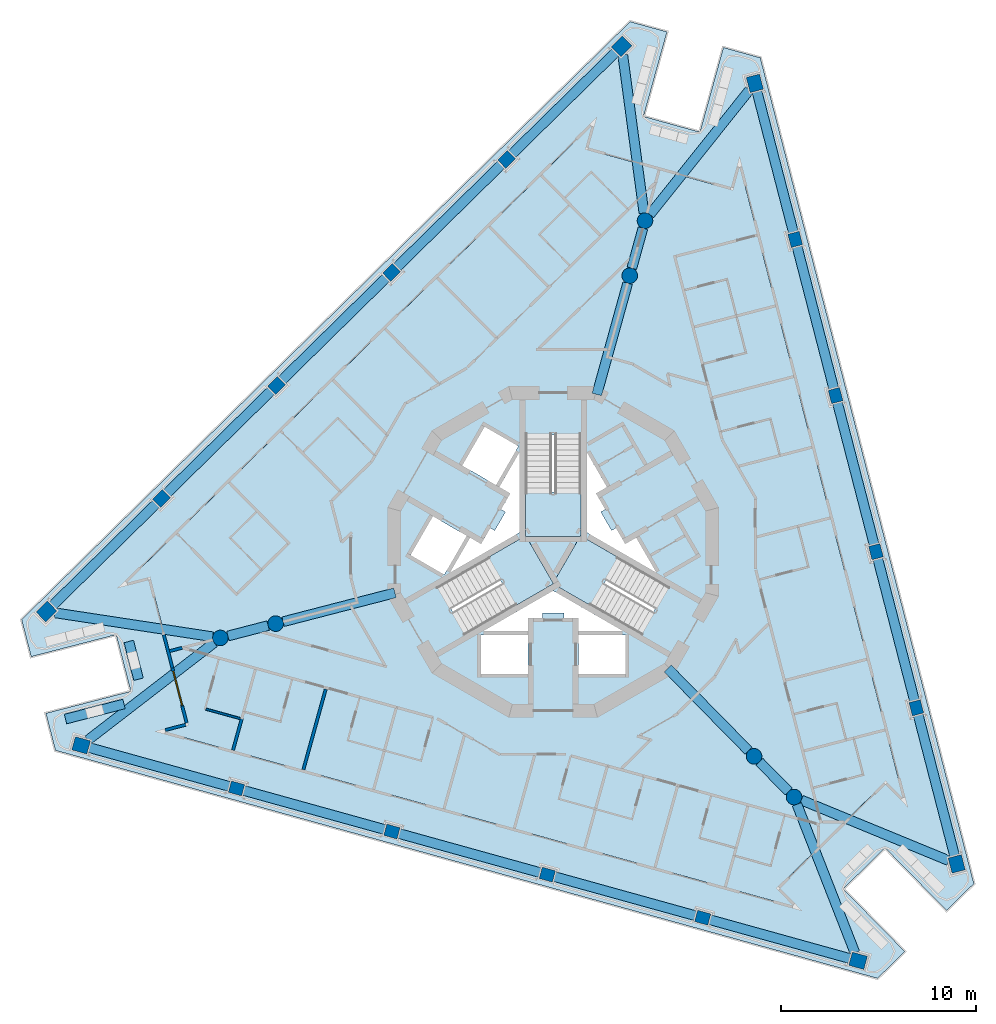
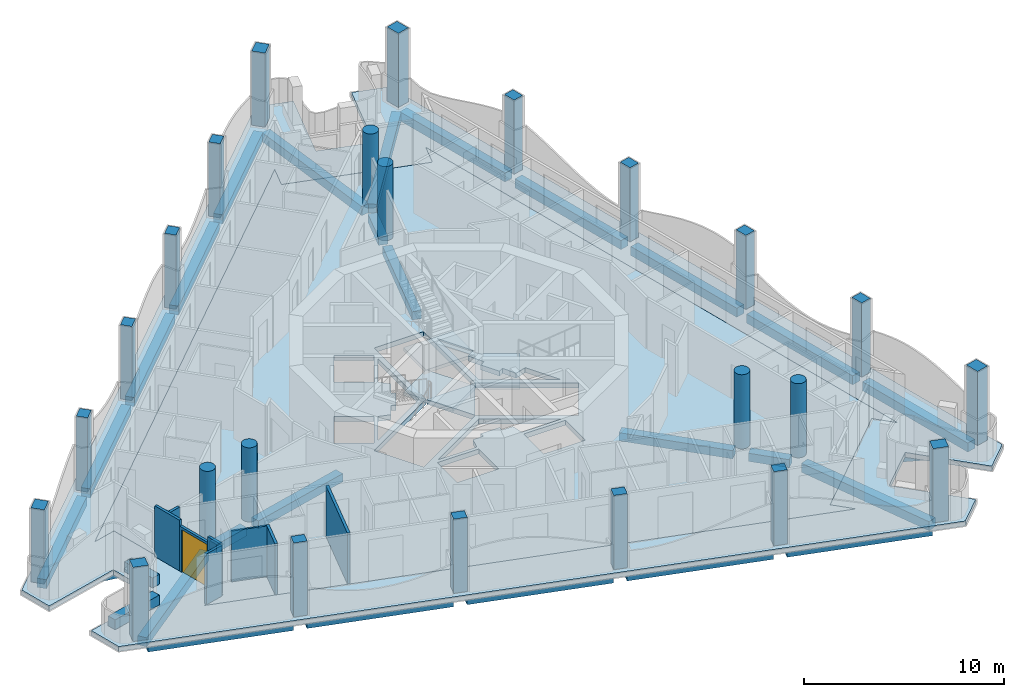
# One storey, part 1 of 15: 27 beams, 24 columns, 10 walls, 6 slabs, 1 door, 1 opening, 3 elements without a shape of their own.
"""IFC4 building model written with IfcOpenShell, lengths in metres."""

from ifc_helpers import new_model, si_unit, direction, frame, frame_2d, origin, origin_2d, place, context, subcontext, project, spatial, polyline, rectangle, circle, outline, extrude, material, layer, layer_set, material_profile, profile_set, type_object, element, fill, aggregate, save


model = new_model("IFC4")

# Units and contexts
model_context = context("Model", 3, precision=1e-05, world=origin(), true_north=direction((0.0, 1.0)))
body_context = subcontext(model_context, "Body", "Model", "MODEL_VIEW")
ifc_project = project(units=[si_unit("LENGTHUNIT", "METRE"), si_unit("AREAUNIT", "SQUARE_METRE"), si_unit("VOLUMEUNIT", "CUBIC_METRE"), si_unit("PLANEANGLEUNIT", "RADIAN"), si_unit("MASSUNIT", "GRAM", prefix="KILO")], contexts=[model_context])

# Site, building, storey
site_placement = place(None, origin())
site = spatial("IfcSite", under=ifc_project, at=site_placement, CompositionType="ELEMENT")
building_placement = place(site_placement, origin())
building = spatial("IfcBuilding", under=site, at=building_placement, Name="Trine Commons Tower", CompositionType="ELEMENT")
storey_placement = place(building_placement, frame((0.0, 0.0, 263.699951171875)))
storey = spatial("IfcBuildingStorey", under=building, at=storey_placement, Name="L69", CompositionType="ELEMENT", Elevation=263.699951171875)

# Columns
ifc_material_1 = material(Name="Concrete C50/60", Category="concrete")
ifc_material_profile_1 = material_profile(ifc_material_1, rectangle(XDim=0.699951171875, YDim=0.60009765625, at=origin_2d()), Name="RC 700x600")
ifc_profile_set_1 = profile_set([ifc_material_profile_1], Name="Concrete C50/60")
column_type_1 = type_object("IfcColumnType", Name="RC column 700x600, C50/60", PredefinedType="COLUMN", material=ifc_profile_set_1)
for number, where, z_axis, x_axis, name in (
    (1, (87.668701171875, 43.74072265625, 0.0), (0.0, 0.0, 1.0), (-0.963630453209, 0.267238376078, 0.0), "Column PC7-02 L69"),
    (2, (79.70068359375, 45.950439453125, 0.0), (0.0, 0.0, 1.0), (-0.963630453209, 0.267238376078, 0.0), "Column PC7-03 L69"),
    (3, (71.73291015625, 48.16015625, 0.0), (0.0, 0.0, 1.0), (-0.963630453209, 0.267238376078, 0.0), "Column PC7-04 L69"),
    (4, (63.764892578125, 50.369873046875, 0.0), (0.0, 0.0, 1.0), (-0.963630453209, 0.267238376078, 0.0), "Column PC7-05 L69"),
    (5, (59.91943359375, 65.23828125, 0.0), (0.0, 0.0, 1.0), (0.713250449154, 0.7009092643, 0.0), "Column PC7-08 L69"),
    (6, (65.817138671875, 71.033935546875, 0.0), (0.0, 0.0, 1.0), (0.713250449154, 0.7009092643, 0.0), "Column PC7-09 L69"),
    (7, (71.71484375, 76.82958984375, 0.0), (0.0, 0.0, 1.0), (0.713250449154, 0.7009092643, 0.0), "Column PC7-10 L69"),
    (8, (77.612548828125, 82.625244140625, 0.0), (0.0, 0.0, 1.0), (0.713250449154, 0.7009092643, 0.0), "Column PC7-11 L69"),
    (9, (92.41162109375, 78.52099609375, 0.0), (0.0, 0.0, 1.0), (-0.250380004054, 0.968147640378, 0.0), "Column PC7-14 L69"),
    (10, (94.48193359375, 70.515625, 0.0), (0.0, 0.0, 1.0), (-0.250380004054, 0.968147640378, 0.0), "Column PC7-15 L69"),
    (11, (96.55224609375, 62.51025390625, 0.0), (0.0, 0.0, 1.0), (-0.250380004054, 0.968147640378, 0.0), "Column PC7-16 L69"),
    (12, (98.622802734375, 54.5048828125, 0.0), (0.0, 0.0, 1.0), (-0.250380004054, 0.968147640378, 0.0), "Column PC7-17 L69"),
):
    element("IfcColumn", number, at=place(storey_placement, frame(where, z_axis=z_axis, x_axis=x_axis)), inside=storey, type_object=column_type_1, Name=name, PredefinedType="COLUMN", context=body_context, shape_type="SweptSolid", body=[
        extrude(rectangle(XDim=0.699951171875, YDim=0.60009765625, at=origin_2d()), origin(), (0.0, 0.0, 1.0), 4.527099609375),
    ])
ifc_material_profile_2 = material_profile(ifc_material_1, rectangle(XDim=0.800048828125, YDim=0.699951171875, at=origin_2d()), Name="RC 800x700")
ifc_profile_set_2 = profile_set([ifc_material_profile_2], Name="Concrete C50/60")
column_type_2 = type_object("IfcColumnType", Name="RC column 800x700, C50/60", PredefinedType="COLUMN", material=ifc_profile_set_2)
for number, where, z_axis, x_axis, name in (
    (13, (95.63671875, 41.531005859375, 0.0), (0.0, 0.0, 1.0), (-0.963630453209, 0.267238376078, 0.0), "Column PC7-01 L69"),
    (14, (55.796875, 52.57958984375, 0.0), (0.0, 0.0, 1.0), (-0.963630453209, 0.267238376078, 0.0), "Column PC7-06 L69"),
    (15, (54.02197265625, 59.442626953125, 0.0), (0.0, 0.0, 1.0), (0.713250449154, 0.7009092643, 0.0), "Column PC7-07 L69"),
    (16, (83.51025390625, 88.4208984375, 0.0), (0.0, 0.0, 1.0), (0.713250449154, 0.7009092643, 0.0), "Column PC7-12 L69"),
    (17, (90.34130859375, 86.5263671875, 0.0), (0.0, 0.0, 1.0), (-0.250380004054, 0.968147640378, 0.0), "Column PC7-13 L69"),
    (18, (100.693115234375, 46.499755859375, 0.0), (0.0, 0.0, 1.0), (-0.250380004054, 0.968147640378, 0.0), "Column PC7-18 L69"),
):
    element("IfcColumn", number, at=place(storey_placement, frame(where, z_axis=z_axis, x_axis=x_axis)), inside=storey, type_object=column_type_2, Name=name, PredefinedType="COLUMN", context=body_context, shape_type="SweptSolid", body=[
        extrude(rectangle(XDim=0.800048828125, YDim=0.699951171875, at=origin_2d()), origin(), (0.0, 0.0, 1.0), 4.527099609375),
    ])
ifc_material_profile_3 = material_profile(ifc_material_1, circle(Radius=0.39990234375, at=origin_2d()), Name="RC round 800")
ifc_profile_set_3 = profile_set([ifc_material_profile_3], Name="Concrete C50/60")
column_type_3 = type_object("IfcColumnType", Name="RC round column 800 mm, C50/60", PredefinedType="COLUMN", material=ifc_profile_set_3)
for number, where, z_axis, x_axis, name in (
    (19, (90.301513671875, 52.01708984375, 0.0), (0.0, 0.0, 1.0), (1.0, 0.0, 0.0), "Column WC7-1 L69"),
    (20, (92.352783203125, 49.9296875, 0.0), (0.0, 0.0, 1.0), (1.0, 0.0, 0.0), "Column WC7-2 L69"),
    (21, (83.927734375, 76.66259765625, 0.0), (0.0, 0.0, 1.0), (1.0, 0.0, 0.0), "Column WC7-3 L69"),
    (22, (84.709716796875, 79.48291015625, 0.0), (0.0, 0.0, 1.0), (1.0, 0.0, 0.0), "Column WC7-4 L69"),
    (23, (65.77099609375, 58.820068359375, 0.0), (0.0, 0.0, 1.0), (1.0, 0.0, 0.0), "Column WC7-5 L69"),
    (24, (62.9375, 58.08740234375, 0.0), (0.0, 0.0, 1.0), (1.0, 0.0, 0.0), "Column WC7-6 L69"),
):
    element("IfcColumn", number, at=place(storey_placement, frame(where, z_axis=z_axis, x_axis=x_axis)), inside=storey, type_object=column_type_3, Name=name, PredefinedType="COLUMN", context=body_context, shape_type="SweptSolid", body=[
        extrude(circle(Radius=0.39990234375, at=origin_2d()), origin(), (0.0, 0.0, 1.0), 4.527099609375),
    ])

# Beams
ifc_material_2 = material(Name="Concrete C40/50", Category="concrete")
ifc_material_profile_4 = material_profile(ifc_material_2, rectangle(XDim=0.5, YDim=0.5, at=origin_2d()), Name="RC 500x500")
ifc_profile_set_4 = profile_set([ifc_material_profile_4], Name="Concrete C40/50")
beam_type_1 = type_object("IfcBeamType", Name="RC beam 500x500, C40/50", PredefinedType="BEAM", material=ifc_profile_set_4)
beam_1_placement = place(storey_placement, frame((85.87353515625, 56.523193359375, -0.550048828125), z_axis=(0.700890997639, -0.713268399292, 0.0), x_axis=(0.713268399292, 0.700890997639, 0.0)))
element("IfcBeam", 25, at=beam_1_placement, inside=storey, type_object=beam_type_1, Name="Beam RB7-01 L69", PredefinedType="BEAM", context=body_context, shape_type="SweptSolid", body=[
    extrude(rectangle(XDim=0.5, YDim=0.5, at=origin_2d()), origin(), (0.0, 0.0, 1.0), 5.91748046875),
])
beam_2_placement = place(storey_placement, frame((90.581787109375, 51.73193359375, -0.550048828125), z_axis=(0.70093857454, -0.713221644877, 0.0), x_axis=(0.713221644877, 0.70093857454, 0.0)))
element("IfcBeam", 26, at=beam_2_placement, inside=storey, type_object=beam_type_1, Name="Beam RB7-02 L69", PredefinedType="BEAM", context=body_context, shape_type="SweptSolid", body=[
    extrude(rectangle(XDim=0.5, YDim=0.5, at=origin_2d()), origin(), (0.0, 0.0, 1.0), 2.126708984375),
])
beam_3_placement = place(storey_placement, frame((82.239501953125, 70.574951171875, -0.550048828125), z_axis=(0.267209770713, 0.963638385721, 0.0), x_axis=(-0.963638385721, 0.267209770713, 0.0)))
element("IfcBeam", 27, at=beam_3_placement, inside=storey, type_object=beam_type_1, Name="Beam RB7-03 L69", PredefinedType="BEAM", context=body_context, shape_type="SweptSolid", body=[
    extrude(rectangle(XDim=0.5, YDim=0.5, at=origin_2d()), origin(), (0.0, 0.0, 1.0), 5.917724609375),
])
beam_4_placement = place(storey_placement, frame((84.034423828125, 77.0478515625, -0.550048828125), z_axis=(0.267270963033, 0.963621415453, 0.0), x_axis=(-0.963621415453, 0.267270963033, 0.0)))
element("IfcBeam", 28, at=beam_4_placement, inside=storey, type_object=beam_type_1, Name="Beam RB7-04 L69", PredefinedType="BEAM", context=body_context, shape_type="SweptSolid", body=[
    extrude(rectangle(XDim=0.5, YDim=0.5, at=origin_2d()), origin(), (0.0, 0.0, 1.0), 2.12744140625),
])
beam_5_placement = place(storey_placement, frame((71.88720703125, 60.40185546875, -0.550048828125), z_axis=(-0.968150015074, -0.250370821607, 0.0), x_axis=(0.250370821607, -0.968150015074, 0.0)))
element("IfcBeam", 29, at=beam_5_placement, inside=storey, type_object=beam_type_1, Name="Beam RB7-05 L69", PredefinedType="BEAM", context=body_context, shape_type="SweptSolid", body=[
    extrude(rectangle(XDim=0.5, YDim=0.5, at=origin_2d()), origin(), (0.0, 0.0, 1.0), 5.91796875),
])
beam_6_placement = place(storey_placement, frame((65.384033203125, 58.72021484375, -0.550048828125), z_axis=(-0.968118610388, -0.250492227863, 0.0), x_axis=(0.250492227863, -0.968118610388, 0.0)))
element("IfcBeam", 30, at=beam_6_placement, inside=storey, type_object=beam_type_1, Name="Beam RB7-06 L69", PredefinedType="BEAM", context=body_context, shape_type="SweptSolid", body=[
    extrude(rectangle(XDim=0.5, YDim=0.5, at=origin_2d()), origin(), (0.0, 0.0, 1.0), 2.127685546875),
])
ifc_material_profile_5 = material_profile(ifc_material_2, rectangle(XDim=0.5, YDim=0.550048828125, at=origin_2d()), Name="RC 500x550")
ifc_profile_set_5 = profile_set([ifc_material_profile_5], Name="Concrete C40/50")
beam_type_2 = type_object("IfcBeamType", Name="RC beam 500x550, C40/50", PredefinedType="BEAM", material=ifc_profile_set_5)
beam_7_placement = place(storey_placement, frame((95.251220703125, 41.6376953125, -0.574951171875), z_axis=(-0.963621113681, 0.267272051042, 0.0), x_axis=(-0.267272051042, -0.963621113681, 0.0)))
element("IfcBeam", 31, at=beam_7_placement, inside=storey, type_object=beam_type_2, Name="Beam EB7-01 L69", PredefinedType="BEAM", context=body_context, shape_type="SweptSolid", body=[
    extrude(rectangle(XDim=0.5, YDim=0.550048828125, at=origin_2d()), origin(), (0.0, 0.0, 1.0), 7.5185546875),
])
for number, where, z_axis, x_axis, name in (
    (32, (87.33154296875, 43.834228515625, -0.574951171875), (-0.963628737279, 0.267244563445, 0.0), (-0.267244563445, -0.963628737279, 0.0), "Beam EB7-02 L69"),
    (33, (79.363525390625, 46.0439453125, -0.574951171875), (-0.963628737279, 0.267244563445, 0.0), (-0.267244563445, -0.963628737279, 0.0), "Beam EB7-03 L69"),
    (34, (71.3955078125, 48.253662109375, -0.574951171875), (-0.963628737279, 0.267244563445, 0.0), (-0.267244563445, -0.963628737279, 0.0), "Beam EB7-04 L69"),
):
    element("IfcBeam", number, at=place(storey_placement, frame(where, z_axis=z_axis, x_axis=x_axis)), inside=storey, type_object=beam_type_2, Name=name, PredefinedType="BEAM", context=body_context, shape_type="SweptSolid", body=[
        extrude(rectangle(XDim=0.5, YDim=0.550048828125, at=origin_2d()), origin(), (0.0, 0.0, 1.0), 7.56884765625),
    ])
for number, where, z_axis, x_axis, name in (
    (35, (63.427490234375, 50.46337890625, -0.574951171875), (-0.963629476257, 0.267241898827, 0.0), (-0.267241898827, -0.963629476257, 0.0), "Beam EB7-05 L69"),
    (36, (54.30712890625, 59.72314453125, -0.574951171875), (0.713265514722, 0.700893933137, 0.0), (-0.700893933137, 0.713265514722, 0.0), "Beam EB7-06 L69"),
):
    element("IfcBeam", number, at=place(storey_placement, frame(where, z_axis=z_axis, x_axis=x_axis)), inside=storey, type_object=beam_type_2, Name=name, PredefinedType="BEAM", context=body_context, shape_type="SweptSolid", body=[
        extrude(rectangle(XDim=0.5, YDim=0.550048828125, at=origin_2d()), origin(), (0.0, 0.0, 1.0), 7.5185546875),
    ])
for number, where, z_axis, x_axis, name in (
    (37, (60.169189453125, 65.483642578125, -0.574951171875), (0.713256929801, 0.700902669485, 0.0), (-0.700902669485, 0.713256929801, 0.0), "Beam EB7-07 L69"),
    (38, (66.06689453125, 71.279296875, -0.574951171875), (0.713256929801, 0.700902669485, 0.0), (-0.700902669485, 0.713256929801, 0.0), "Beam EB7-08 L69"),
    (39, (71.964599609375, 77.074951171875, -0.574951171875), (0.713241082752, 0.700918795492, 0.0), (-0.700918795492, 0.713241082752, 0.0), "Beam EB7-09 L69"),
):
    element("IfcBeam", number, at=place(storey_placement, frame(where, z_axis=z_axis, x_axis=x_axis)), inside=storey, type_object=beam_type_2, Name=name, PredefinedType="BEAM", context=body_context, shape_type="SweptSolid", body=[
        extrude(rectangle(XDim=0.5, YDim=0.550048828125, at=origin_2d()), origin(), (0.0, 0.0, 1.0), 7.568603515625),
    ])
beam_8_placement = place(storey_placement, frame((77.862060546875, 82.87060546875, -0.574951171875), z_axis=(0.713265514722, 0.700893933137, 0.0), x_axis=(-0.700893933137, 0.713265514722, 0.0)))
element("IfcBeam", 40, at=beam_8_placement, inside=storey, type_object=beam_type_2, Name="Beam EB7-10 L69", PredefinedType="BEAM", context=body_context, shape_type="SweptSolid", body=[
    extrude(rectangle(XDim=0.5, YDim=0.550048828125, at=origin_2d()), origin(), (0.0, 0.0, 1.0), 7.5185546875),
])
beam_9_placement = place(storey_placement, frame((90.441650390625, 86.13916015625, -0.574951171875), z_axis=(0.250381772483, -0.96814718303, 0.0), x_axis=(0.96814718303, 0.250381772483, 0.0)))
element("IfcBeam", 41, at=beam_9_placement, inside=storey, type_object=beam_type_2, Name="Beam EB7-11 L69", PredefinedType="BEAM", context=body_context, shape_type="SweptSolid", body=[
    extrude(rectangle(XDim=0.5, YDim=0.550048828125, at=origin_2d()), origin(), (0.0, 0.0, 1.0), 7.518798828125),
])
for number, where, z_axis, x_axis, name in (
    (42, (92.499267578125, 78.18212890625, -0.574951171875), (0.250375524013, -0.968148798985, 0.0), (0.968148798985, 0.250375524013, 0.0), "Beam EB7-12 L69"),
    (43, (94.569580078125, 70.1767578125, -0.574951171875), (0.250375524013, -0.968148798985, 0.0), (0.968148798985, 0.250375524013, 0.0), "Beam EB7-13 L69"),
    (44, (96.639892578125, 62.17138671875, -0.574951171875), (0.250413578195, -0.968138956894, 0.0), (0.968138956894, 0.250413578195, 0.0), "Beam EB7-14 L69"),
):
    element("IfcBeam", number, at=place(storey_placement, frame(where, z_axis=z_axis, x_axis=x_axis)), inside=storey, type_object=beam_type_2, Name=name, PredefinedType="BEAM", context=body_context, shape_type="SweptSolid", body=[
        extrude(rectangle(XDim=0.5, YDim=0.550048828125, at=origin_2d()), origin(), (0.0, 0.0, 1.0), 7.568603515625),
    ])
beam_10_placement = place(storey_placement, frame((98.710205078125, 54.166015625, -0.574951171875), z_axis=(0.250389643834, -0.96814514731, 0.0), x_axis=(0.96814514731, 0.250389643834, 0.0)))
element("IfcBeam", 45, at=beam_10_placement, inside=storey, type_object=beam_type_2, Name="Beam EB7-15 L69", PredefinedType="BEAM", context=body_context, shape_type="SweptSolid", body=[
    extrude(rectangle(XDim=0.5, YDim=0.550048828125, at=origin_2d()), origin(), (0.0, 0.0, 1.0), 7.5185546875),
])
beam_11_placement = place(storey_placement, frame((56.143310546875, 52.8466796875, -0.574951171875), z_axis=(0.79181565557, 0.610760155539, 0.0), x_axis=(-0.610760155539, 0.79181565557, 0.0)))
element("IfcBeam", 46, at=beam_11_placement, inside=storey, type_object=beam_type_2, Name="Beam CB7-01 L69", PredefinedType="BEAM", context=body_context, shape_type="SweptSolid", body=[
    extrude(rectangle(XDim=0.5, YDim=0.550048828125, at=origin_2d()), origin(), (0.0, 0.0, 1.0), 8.180908203125),
])
for number, where, z_axis, x_axis, name in (
    (47, (54.454345703125, 59.376953125, -0.574951171875), (0.98863822303, -0.150314550074, 0.0), (0.150314550074, 0.98863822303, 0.0), "Beam CB7-02 L69"),
    (48, (83.568359375, 87.9873046875, -0.574951171875), (0.1330354713, -0.99111127699, 0.0), (0.99111127699, 0.1330354713, 0.0), "Beam CB7-03 L69"),
):
    element("IfcBeam", number, at=place(storey_placement, frame(where, z_axis=z_axis, x_axis=x_axis)), inside=storey, type_object=beam_type_2, Name=name, PredefinedType="BEAM", context=body_context, shape_type="SweptSolid", body=[
        extrude(rectangle(XDim=0.5, YDim=0.550048828125, at=origin_2d()), origin(), (0.0, 0.0, 1.0), 8.18115234375),
    ])
beam_12_placement = place(storey_placement, frame((90.068115234375, 86.184814453125, -0.574951171875), z_axis=(-0.624465738686, -0.781052201333, 0.0), x_axis=(0.781052201333, -0.624465738686, 0.0)))
element("IfcBeam", 49, at=beam_12_placement, inside=storey, type_object=beam_type_2, Name="Beam CB7-04 L69", PredefinedType="BEAM", context=body_context, shape_type="SweptSolid", body=[
    extrude(rectangle(XDim=0.5, YDim=0.550048828125, at=origin_2d()), origin(), (0.0, 0.0, 1.0), 8.180908203125),
])
beam_13_placement = place(storey_placement, frame((100.28857421875, 46.666015625, -0.574951171875), z_axis=(-0.924841797532, 0.380352007407, 0.0), x_axis=(-0.380352007407, -0.924841797532, 0.0)))
element("IfcBeam", 50, at=beam_13_placement, inside=storey, type_object=beam_type_2, Name="Beam CB7-05 L69", PredefinedType="BEAM", context=body_context, shape_type="SweptSolid", body=[
    extrude(rectangle(XDim=0.5, YDim=0.550048828125, at=origin_2d()), origin(), (0.0, 0.0, 1.0), 8.1806640625),
])
beam_14_placement = place(storey_placement, frame((95.4775390625, 41.938232421875, -0.574951171875), z_axis=(-0.36416079705, 0.931336090727, 0.0), x_axis=(-0.931336090727, -0.36416079705, 0.0)))
element("IfcBeam", 51, at=beam_14_placement, inside=storey, type_object=beam_type_2, Name="Beam CB7-06 L69", PredefinedType="BEAM", context=body_context, shape_type="SweptSolid", body=[
    extrude(rectangle(XDim=0.5, YDim=0.550048828125, at=origin_2d()), origin(), (0.0, 0.0, 1.0), 8.18115234375),
])

# Slabs
ifc_layer_1 = layer(ifc_material_2, 0.300048828125)
ifc_layer_set_1 = layer_set([ifc_layer_1], Name="Concrete C40/50")
slab_type_1 = type_object("IfcSlabType", Name="Loggia slab 300 mm, C40/50", PredefinedType="FLOOR", material=ifc_layer_set_1)
slab_1_placement = place(storey_placement, frame((0.0, 0.0, -0.300048828125)))
element("IfcSlab", 52, at=slab_1_placement, inside=storey, type_object=slab_type_1, Name="Loggia slab L69", PredefinedType="FLOOR", context=body_context, shape_type="SweptSolid", body=[
    extrude(outline(polyline([(101.57421875, 45.488037109375), (90.621826171875, 87.83837890625), (88.72900390625, 88.36328125), (87.526611328125, 84.02685546875), (84.6357421875, 84.82861328125), (85.838134765625, 89.1650390625), (83.945556640625, 89.68994140625), (52.745361328125, 59.029541015625), (53.2373046875, 57.1279296875), (57.593994140625, 58.254638671875), (58.344970703125, 55.350341796875), (53.98828125, 54.2236328125), (54.47998046875, 52.322021484375), (96.6328125, 40.632080078125), (98.03369140625, 42.0087890625), (94.879638671875, 45.218505859375), (97.019287109375, 47.321044921875), (100.17333984375, 44.111572265625), (101.57421875, 45.488037109375)]), holes=[polyline([(59.31640625, 61.17919921875), (61.26953125, 53.627685546875), (59.96728515625, 53.291015625), (92.42822265625, 44.28857421875), (91.485595703125, 45.248046875), (97.048828125, 50.715087890625), (97.99169921875, 49.755615234375), (89.557373046875, 82.368896484375), (89.197998046875, 81.07275390625), (81.681640625, 83.1572265625), (82.041015625, 84.453369140625), (58.014404296875, 60.84228515625), (59.31640625, 61.17919921875)])]), origin(), (0.0, 0.0, 1.0), 0.300048828125),
])
ifc_layer_2 = layer(ifc_material_2, 0.300048828125)
ifc_layer_set_2 = layer_set([ifc_layer_2], Name="Concrete C40/50")
slab_type_2 = type_object("IfcSlabType", Name="PT flat slab 300 mm, C40/50", PredefinedType="FLOOR", material=ifc_layer_set_2)
slab_2_placement = place(storey_placement, frame((0.0, 0.0, -0.300048828125)))
element("IfcSlab", 53, at=slab_2_placement, inside=storey, type_object=slab_type_2, Name="Floor slab L69", PredefinedType="FLOOR", context=body_context, shape_type="SweptSolid", body=[
    extrude(outline(polyline([(58.014404296875, 60.84228515625), (59.31640625, 61.17919921875), (61.26953125, 53.627685546875), (59.96728515625, 53.291015625), (92.42822265625, 44.28857421875), (91.485595703125, 45.248046875), (97.048828125, 50.715087890625), (97.99169921875, 49.755615234375), (89.557373046875, 82.368896484375), (89.197998046875, 81.07275390625), (81.681640625, 83.1572265625), (82.041015625, 84.453369140625), (58.014404296875, 60.84228515625)]), holes=[polyline([(78.699951171875, 56.25), (78.699951171875, 58.25), (76.300048828125, 58.25), (76.300048828125, 56.25), (78.699951171875, 56.25)]), polyline([(83.699951171875, 56.25), (83.699951171875, 58.25), (81.300048828125, 58.25), (81.300048828125, 56.25), (83.699951171875, 56.25)]), polyline([(81.300048828125, 58.449951171875), (83.56494140625, 58.449951171875), (80.0, 60.508056640625), (76.43505859375, 58.449951171875), (78.699951171875, 58.449951171875), (78.85009765625, 59.10009765625), (79.449951171875, 59.10009765625), (79.449951171875, 59.360107421875), (80.550048828125, 59.360107421875), (80.550048828125, 59.10009765625), (81.14990234375, 59.10009765625), (81.300048828125, 58.449951171875)]), polyline([(81.425048828125, 63.32275390625), (81.425048828125, 68.490478515625), (78.574951171875, 68.490478515625), (78.574951171875, 63.32275390625), (74.099609375, 60.73876953125), (75.5244140625, 58.2705078125), (80.0, 60.8544921875), (84.4755859375, 58.2705078125), (85.900390625, 60.73876953125), (81.425048828125, 63.32275390625)]), polyline([(72.687255859375, 62.333984375), (74.41943359375, 61.333984375), (75.5693359375, 63.325927734375), (73.83740234375, 64.325927734375), (72.687255859375, 62.333984375)]), polyline([(76.381103515625, 63.031005859375), (75.742919921875, 63.22607421875), (74.7099609375, 61.43798828125), (78.27490234375, 63.49609375), (78.27490234375, 67.612060546875), (77.242919921875, 65.823974609375), (77.73095703125, 65.368896484375), (77.3310546875, 64.676025390625), (77.555908203125, 64.5458984375), (77.006103515625, 63.593994140625), (76.781005859375, 63.722900390625), (76.381103515625, 63.031005859375)]), polyline([(82.993896484375, 63.593994140625), (82.444091796875, 64.5458984375), (82.72705078125, 64.7099609375), (82.281005859375, 65.549072265625), (82.757080078125, 65.823974609375), (81.72509765625, 67.612060546875), (81.72509765625, 63.49609375), (85.2900390625, 61.43798828125), (84.257080078125, 63.22607421875), (83.618896484375, 63.031005859375), (83.243896484375, 63.738037109375), (82.993896484375, 63.593994140625)]), polyline([(76.4873046875, 68.916015625), (75.33740234375, 66.924072265625), (77.0693359375, 65.924072265625), (78.219482421875, 67.916015625), (76.4873046875, 68.916015625)])]), origin(), (0.0, 0.0, 1.0), 0.300048828125),
])
slab_3_placement = place(storey_placement, frame((0.0, 0.0, -0.300048828125)))
element("IfcSlab", 54, at=slab_3_placement, inside=storey, type_object=slab_type_2, Name="Floor slab L69 2", PredefinedType="FLOOR", context=body_context, shape_type="SweptSolid", body=[
    extrude(outline(polyline([(81.38671875, 63.300537109375), (78.61328125, 63.300537109375), (80.0, 60.89892578125), (81.38671875, 63.300537109375)])), origin(), (0.0, 0.0, 1.0), 0.300048828125),
])

# Stair, slab
stair_type = type_object("IfcStairType", Name="Exit stair, dog-leg, 24 risers of 150 mm", PredefinedType="HALF_TURN_STAIR", material=ifc_material_1)
stair_1_placement = place(storey_placement, origin())
stair_1 = element("IfcStair", 55, at=stair_1_placement, inside=storey, type_object=stair_type, Name="L69 Exit stair ST1C", PredefinedType="HALF_TURN_STAIR")
ifc_layer_3 = layer(ifc_material_1, 0.199951171875)
ifc_layer_set_3 = layer_set([ifc_layer_3], Name="Concrete C50/60")
slab_type_3 = type_object("IfcSlabType", Name="Stair landing slab 200 mm, C50/60", PredefinedType="LANDING", material=ifc_layer_set_3)
slab_4_placement = place(storey_placement, frame((0.0, 0.0, 1.60009765625)))
slab_4 = element("IfcSlab", 56, at=slab_4_placement, type_object=slab_type_3, Name="ST1C landing 1", PredefinedType="LANDING", context=body_context, shape_type="SweptSolid", body=[
    extrude(outline(polyline([(78.574951171875, 65.570556640625), (78.574951171875, 63.300537109375), (81.425048828125, 63.300537109375), (81.425048828125, 65.570556640625), (78.574951171875, 65.570556640625)])), origin(), (0.0, 0.0, 1.0), 0.199951171875),
])
aggregate(stair_1, [slab_4])

stair_2_placement = place(storey_placement, origin())
stair_2 = element("IfcStair", 57, at=stair_2_placement, inside=storey, type_object=stair_type, Name="L69 Exit stair ST2C", PredefinedType="HALF_TURN_STAIR")
slab_5_placement = place(storey_placement, frame((0.0, 0.0, 1.60009765625)))
slab_5 = element("IfcSlab", 58, at=slab_5_placement, type_object=slab_type_3, Name="ST2C landing 1", PredefinedType="LANDING", context=body_context, shape_type="SweptSolid", body=[
    extrude(outline(polyline([(78.05322265625, 59.730712890625), (80.019287109375, 60.86572265625), (78.59423828125, 63.333740234375), (76.628173828125, 62.19873046875), (78.05322265625, 59.730712890625)])), origin(), (0.0, 0.0, 1.0), 0.199951171875),
])
aggregate(stair_2, [slab_5])

stair_3_placement = place(storey_placement, origin())
stair_3 = element("IfcStair", 59, at=stair_3_placement, inside=storey, type_object=stair_type, Name="L69 Exit stair ST3C", PredefinedType="HALF_TURN_STAIR")
slab_6_placement = place(storey_placement, frame((0.0, 0.0, 1.60009765625)))
slab_6 = element("IfcSlab", 60, at=slab_6_placement, type_object=slab_type_3, Name="ST3C landing 1", PredefinedType="LANDING", context=body_context, shape_type="SweptSolid", body=[
    extrude(outline(polyline([(83.371826171875, 62.19873046875), (81.40576171875, 63.333740234375), (79.980712890625, 60.86572265625), (81.94677734375, 59.730712890625), (83.371826171875, 62.19873046875)])), origin(), (0.0, 0.0, 1.0), 0.199951171875),
])
aggregate(stair_3, [slab_6])

# Walls
ifc_material_3 = material(Name="Aluminium-framed insulated wall panel", Category="aluminium")
ifc_layer_4 = layer(ifc_material_3, 0.14990234375)
ifc_layer_set_4 = layer_set([ifc_layer_4], Name="Aluminium-framed insulated wall panel")
wall_type_1 = type_object("IfcWallType", Name="Glazed frame wall 150, EI 60", PredefinedType="SOLIDWALL", material=ifc_layer_set_4)
wall_1_placement = place(storey_placement, frame((59.95849609375, 53.32470703125, 0.0), z_axis=(0.0, 0.0, 1.0), x_axis=(0.968124150503, 0.250470815091, 0.0)))
element("IfcWall", 61, at=wall_1_placement, inside=storey, type_object=wall_type_1, Name="Glazed frame wall R10", PredefinedType="SOLIDWALL", context=body_context, shape_type="SweptSolid", body=[
    extrude(outline(polyline([(0.1494140625, 0.074951171875), (0.1494140625, -0.074951171875), (1.235107421875, -0.074951171875), (1.235107421875, 0.074951171875), (0.1494140625, 0.074951171875)])), origin(), (0.0, 0.0, 1.0), 3.10009765625),
])
wall_2_placement = place(storey_placement, frame((61.235595703125, 53.618896484375, 0.0), z_axis=(0.0, 0.0, 1.0), x_axis=(-0.250513031832, 0.968113227305, 0.0)))
element("IfcWall", 62, at=wall_2_placement, inside=storey, type_object=wall_type_1, Name="Glazed frame wall P3.1", PredefinedType="SOLIDWALL", context=body_context, shape_type="SweptSolid", body=[
    extrude(outline(polyline([(0.110107421875, -0.074951171875), (1.0, -0.074951171875), (1.0, 0.074951171875), (0.110107421875, 0.074951171875), (0.110107421875, -0.074951171875)])), origin(), (0.0, 0.0, 1.0), 3.10009765625),
])

# Wall, opening, door
wall_3_placement = place(storey_placement, frame((60.985107421875, 54.5869140625, 0.0), z_axis=(0.0, 0.0, 1.0), x_axis=(-0.250371111039, 0.968149940225, 0.0)))
wall_3 = element("IfcWall", 63, at=wall_3_placement, inside=storey, type_object=wall_type_1, Name="Glazed frame wall P3.2", PredefinedType="SOLIDWALL", context=body_context, shape_type="SweptSolid", body=[
    extrude(outline(polyline([(0.0, -0.074951171875), (2.021484375, -0.074951171875), (2.021484375, 0.074951171875), (0.0, 0.074951171875), (0.0, -0.074951171875)])), origin(), (0.0, 0.0, 1.0), 2.75),
])
opening_placement = place(wall_3_placement, frame((0.050048828125, 0.0, 0.0)))
opening = element("IfcOpeningElement", 64, at=opening_placement, cuts=wall_3, Name="Opening BD-7P3-01", PredefinedType="OPENING", context=body_context, shape_type="SweptSolid", body=[
    extrude(rectangle(XDim=1.800048828125, YDim=2.60009765625, at=frame_2d((0.89990234375, 1.300048828125))), frame((0.0, 0.0849609375, 0.0), z_axis=(0.0, -1.0, 0.0), x_axis=(1.0, 0.0, 0.0)), (0.0, 0.0, 1.0), 0.169921875),
])
ifc_material_4 = material(Name="Anodised aluminium frame with double glazing", Category="aluminium")
door_type = type_object("IfcDoorType", Name="Sliding loggia door 1800x2600", OperationType="SLIDING_TO_LEFT", PredefinedType="DOOR", material=ifc_material_4)
door_placement = place(opening_placement, origin())
door = element("IfcDoor", 65, at=door_placement, inside=storey, type_object=door_type, Name="Loggia door P3 1", OperationType="SLIDING_TO_LEFT", OverallHeight=2.60009765625, OverallWidth=1.800048828125, PredefinedType="DOOR", context=body_context, shape_type="SweptSolid", body=[
    extrude(rectangle(XDim=1.800048828125, YDim=2.60009765625, at=frame_2d((0.89990234375, 1.300048828125))), frame((0.0, 0.02490234375, 0.0), z_axis=(0.0, -1.0, 0.0), x_axis=(1.0, 0.0, 0.0)), (0.0, 0.0, 1.0), 0.050048828125),
])
fill(opening, door)

# Walls
wall_4_placement = place(storey_placement, frame((60.47900390625, 56.5439453125, 0.0), z_axis=(0.0, 0.0, 1.0), x_axis=(-0.250373840462, 0.968149234371, 0.0)))
element("IfcWall", 66, at=wall_4_placement, inside=storey, type_object=wall_type_1, Name="Glazed frame wall P3.3", PredefinedType="SOLIDWALL", context=body_context, shape_type="SweptSolid", body=[
    extrude(outline(polyline([(0.0, -0.074951171875), (1.757080078125, -0.074951171875), (1.757080078125, 0.074951171875), (0.0, 0.074951171875), (0.0, -0.074951171875)])), origin(), (0.0, 0.0, 1.0), 3.10009765625),
])
ifc_material_5 = material(Name="Planter trough, precast concrete C40/50", Category="concrete")
ifc_layer_5 = layer(ifc_material_5, 0.5)
ifc_layer_set_5 = layer_set([ifc_layer_5], Name="Planter trough, precast concrete C40/50")
wall_type_2 = type_object("IfcWallType", Name="Planter trough 500x600", PredefinedType="PARAPET", material=ifc_layer_set_5)
wall_5_placement = place(storey_placement, frame((54.994873046875, 53.92626953125, 0.0), z_axis=(0.0, 0.0, 1.0), x_axis=(0.968151190511, 0.250366276306, 0.0)))
element("IfcWall", 67, at=wall_5_placement, inside=storey, type_object=wall_type_2, Name="Planter 1", PredefinedType="PARAPET", context=body_context, shape_type="SweptSolid", body=[
    extrude(rectangle(XDim=3.099853515625, YDim=0.5, at=frame_2d((1.5498046875, 0.0))), origin(), (0.0, 0.0, 1.0), 0.60009765625),
])
wall_6_placement = place(storey_placement, frame((58.74267578125, 55.969482421875, 0.0), z_axis=(0.0, 0.0, 1.0), x_axis=(-0.250483427189, 0.968120887443, 0.0)))
element("IfcWall", 68, at=wall_6_placement, inside=storey, type_object=wall_type_2, Name="Planter 2", PredefinedType="PARAPET", context=body_context, shape_type="SweptSolid", body=[
    extrude(rectangle(XDim=2.0, YDim=0.5, at=frame_2d((1.0, 0.0))), origin(), (0.0, 0.0, 1.0), 0.60009765625),
])
ifc_material_6 = material(Name="Gypsum plasterboard on steel stud", Category="steel")
ifc_layer_6 = layer(ifc_material_6, 0.14990234375)
ifc_layer_set_6 = layer_set([ifc_layer_6], Name="Gypsum plasterboard on steel stud")
wall_type_3 = type_object("IfcWallType", Name="Unit and corridor wall 150 mm, EI 60", PredefinedType="PARTITIONING", material=ifc_layer_set_6)
wall_7_placement = place(storey_placement, frame((60.331787109375, 57.4130859375, 0.0), z_axis=(0.0, 0.0, 1.0), x_axis=(0.968209183311, 0.250141914426, 0.0)))
element("IfcWall", 69, at=wall_7_placement, inside=storey, type_object=wall_type_3, Name="Partition 001", PredefinedType="PARTITIONING", context=body_context, shape_type="SweptSolid", body=[
    extrude(rectangle(XDim=0.67138671875, YDim=0.14990234375, at=frame_2d((0.335693359375, 0.0))), origin(), (0.0, 0.0, 1.0), 3.10009765625),
])
wall_8_placement = place(storey_placement, frame((63.584716796875, 52.32958984375, 0.0), z_axis=(0.0, 0.0, 1.0), x_axis=(0.267092797629, 0.963670813844, 0.0)))
element("IfcWall", 70, at=wall_8_placement, inside=storey, type_object=wall_type_3, Name="Partition 010", PredefinedType="PARTITIONING", context=body_context, shape_type="SweptSolid", body=[
    extrude(rectangle(XDim=1.7138671875, YDim=0.14990234375, at=frame_2d((0.85693359375, 0.0))), origin(), (0.0, 0.0, 1.0), 3.10009765625),
])
wall_9_placement = place(storey_placement, frame((67.191650390625, 51.32861328125, 0.0), z_axis=(0.0, 0.0, 1.0), x_axis=(0.267270648008, 0.963621502828, 0.0)))
element("IfcWall", 71, at=wall_9_placement, inside=storey, type_object=wall_type_3, Name="Partition 020", PredefinedType="PARTITIONING", context=body_context, shape_type="SweptSolid", body=[
    extrude(rectangle(XDim=4.284912109375, YDim=0.14990234375, at=frame_2d((2.142578125, 0.0))), origin(), (0.0, 0.0, 1.0), 3.10009765625),
])
ifc_layer_7 = layer(ifc_material_6, 0.10009765625)
ifc_layer_set_7 = layer_set([ifc_layer_7], Name="Gypsum plasterboard on steel stud")
wall_type_4 = type_object("IfcWallType", Name="Unit partition 100 mm, no rating", PredefinedType="PARTITIONING", material=ifc_layer_set_7)
wall_10_placement = place(storey_placement, frame((62.197265625, 54.4365234375, 0.0), z_axis=(0.0, 0.0, 1.0), x_axis=(0.963650043194, -0.267167726816, 0.0)))
element("IfcWall", 72, at=wall_10_placement, inside=storey, type_object=wall_type_4, Name="Partition 006", PredefinedType="PARTITIONING", context=body_context, shape_type="SweptSolid", body=[
    extrude(rectangle(XDim=1.824951171875, YDim=0.10009765625, at=frame_2d((0.91259765625, 0.0))), origin(), (0.0, 0.0, 1.0), 3.10009765625),
])

save(model, "model.ifc")
